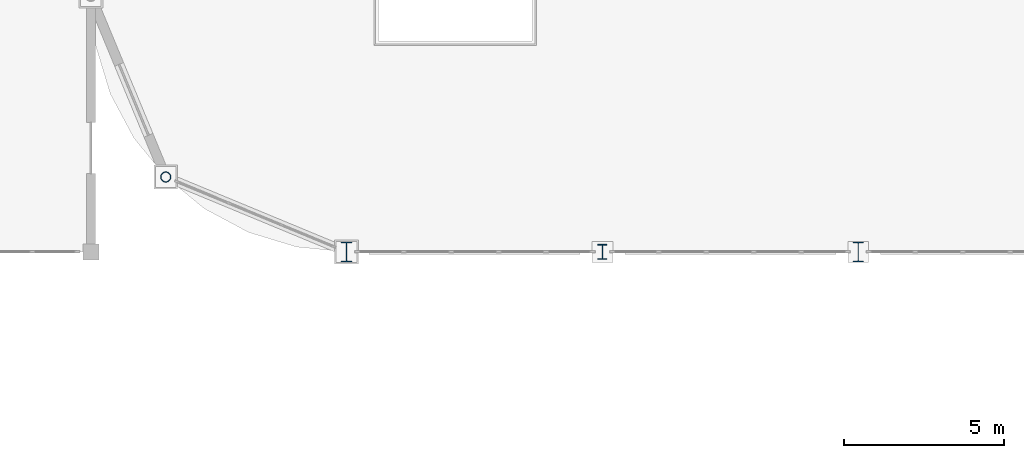
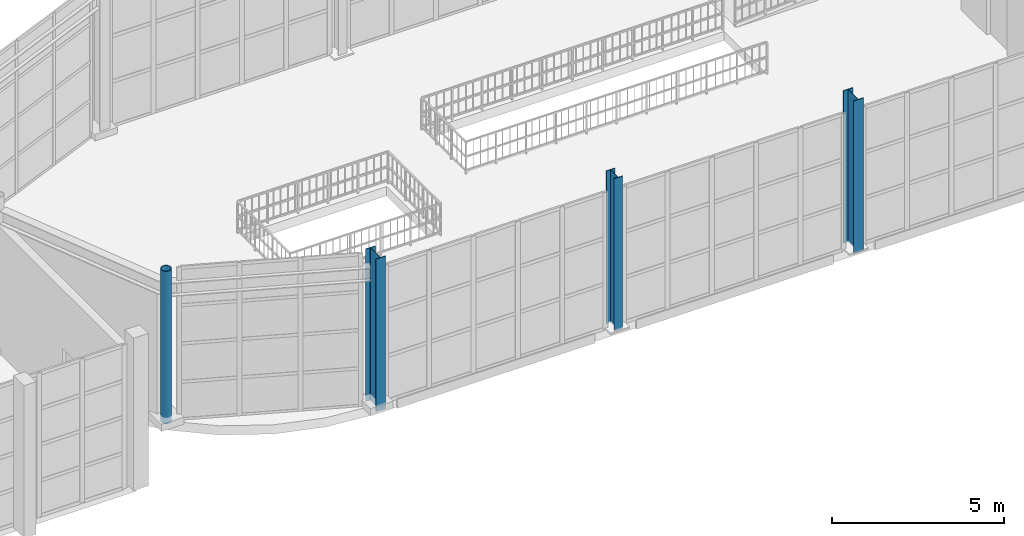
# One storey, part 2 of 82: 4 columns.
"""IFC4 building model written with IfcOpenShell, lengths in metres."""

from ifc_helpers import new_model, si_unit, direction, frame, origin, origin_2d, place, context, subcontext, project, spatial, hollow_circle, i_section, extrude, material, material_profile, profile_set, type_object, element, save


model = new_model("IFC4")

# Units and contexts
model_context = context("Model", 3, precision=1e-05, world=origin(), true_north=direction((0.0, 1.0)))
body_context = subcontext(model_context, "Body", "Model", "MODEL_VIEW")
ifc_project = project(units=[si_unit("LENGTHUNIT", "METRE"), si_unit("AREAUNIT", "SQUARE_METRE"), si_unit("VOLUMEUNIT", "CUBIC_METRE"), si_unit("PLANEANGLEUNIT", "RADIAN"), si_unit("MASSUNIT", "GRAM", prefix="KILO")], contexts=[model_context])

# Site, building, storey
site_placement = place(None, origin())
site = spatial("IfcSite", under=ifc_project, at=site_placement, CompositionType="ELEMENT")
building_placement = place(site_placement, origin())
building = spatial("IfcBuilding", under=site, at=building_placement, Name="Serraluz Foothill Cableway Terminal", CompositionType="ELEMENT")
storey_placement = place(building_placement, frame((0.0, 0.0, 9.60009765625)))
storey = spatial("IfcBuildingStorey", under=building, at=storey_placement, Name="L02", CompositionType="ELEMENT", Elevation=9.60009765625)

# Columns
ifc_material_1 = material(Name="Steel ASTM A572 Grade 50", Category="steel")
ifc_material_profile_1 = material_profile(ifc_material_1, hollow_circle(Radius=0.161865234375, WallThickness=0.01611328125, at=origin_2d()), Name="CHS324X16")
ifc_profile_set_1 = profile_set([ifc_material_profile_1], Name="Steel ASTM A572 Grade 50")
column_type_1 = type_object("IfcColumnType", Name="TYP-COL-CHS324", PredefinedType="COLUMN", material=ifc_profile_set_1)
column_1_placement = place(storey_placement, frame((34.343017578125, 58.343017578125, 0.0), z_axis=(0.0, 0.0, 1.0), x_axis=(1.0, 0.0, 0.0)))
element("IfcColumn", 1, at=column_1_placement, inside=storey, type_object=column_type_1, Name="Column COL-V1-ARC-W1-L02", PredefinedType="COLUMN", context=body_context, shape_type="SweptSolid", body=[
    extrude(hollow_circle(Radius=0.161865234375, WallThickness=0.01611328125, at=origin_2d()), origin(), (0.0, 0.0, 1.0), 5.39990234375),
])
ifc_material_2 = material(Name="Steel ASTM A992 Grade 50", Category="steel")
ifc_material_profile_2 = material_profile(ifc_material_2, i_section(OverallWidth=0.282958984375, OverallDepth=0.471923828125, WebThickness=0.013671875, FlangeThickness=0.022216796875, FilletRadius=0.014892578125, at=origin_2d()), Name="W18X97")
ifc_profile_set_2 = profile_set([ifc_material_profile_2], Name="Steel ASTM A992 Grade 50")
column_type_2 = type_object("IfcColumnType", Name="TYP-COL-W18X97", PredefinedType="COLUMN", material=ifc_profile_set_2)
column_2_placement = place(storey_placement, frame((48.0, 56.0, 0.0), z_axis=(0.0, 0.0, 1.0), x_axis=(1.0, 0.0, 0.0)))
element("IfcColumn", 2, at=column_2_placement, inside=storey, type_object=column_type_2, Name="Column COL-V1-S-48-L02", PredefinedType="COLUMN", context=body_context, shape_type="SweptSolid", body=[
    extrude(i_section(OverallWidth=0.282958984375, OverallDepth=0.471923828125, WebThickness=0.013671875, FlangeThickness=0.022216796875, FilletRadius=0.014892578125, at=origin_2d()), origin(), (0.0, 0.0, 1.0), 5.39990234375),
])
ifc_material_profile_3 = material_profile(ifc_material_2, i_section(OverallWidth=0.324951171875, OverallDepth=0.615966796875, WebThickness=0.013916015625, FlangeThickness=0.021484375, FilletRadius=0.01806640625, at=origin_2d()), Name="W24X117")
ifc_profile_set_3 = profile_set([ifc_material_profile_3], Name="Steel ASTM A992 Grade 50")
column_type_3 = type_object("IfcColumnType", Name="TYP-COL-W24X117", PredefinedType="COLUMN", material=ifc_profile_set_3)
for number, where, z_axis, x_axis, name in (
    (3, (40.0, 56.0, 0.0), (0.0, 0.0, 1.0), (1.0, 0.0, 0.0), "Column COL-V1-S-40-L02"),
    (4, (56.0, 56.0, 0.0), (0.0, 0.0, 1.0), (1.0, 0.0, 0.0), "Column COL-V1-S-56-L02"),
):
    element("IfcColumn", number, at=place(storey_placement, frame(where, z_axis=z_axis, x_axis=x_axis)), inside=storey, type_object=column_type_3, Name=name, PredefinedType="COLUMN", context=body_context, shape_type="SweptSolid", body=[
        extrude(i_section(OverallWidth=0.324951171875, OverallDepth=0.615966796875, WebThickness=0.013916015625, FlangeThickness=0.021484375, FilletRadius=0.01806640625, at=origin_2d()), origin(), (0.0, 0.0, 1.0), 5.39990234375),
    ])

save(model, "model.ifc")
